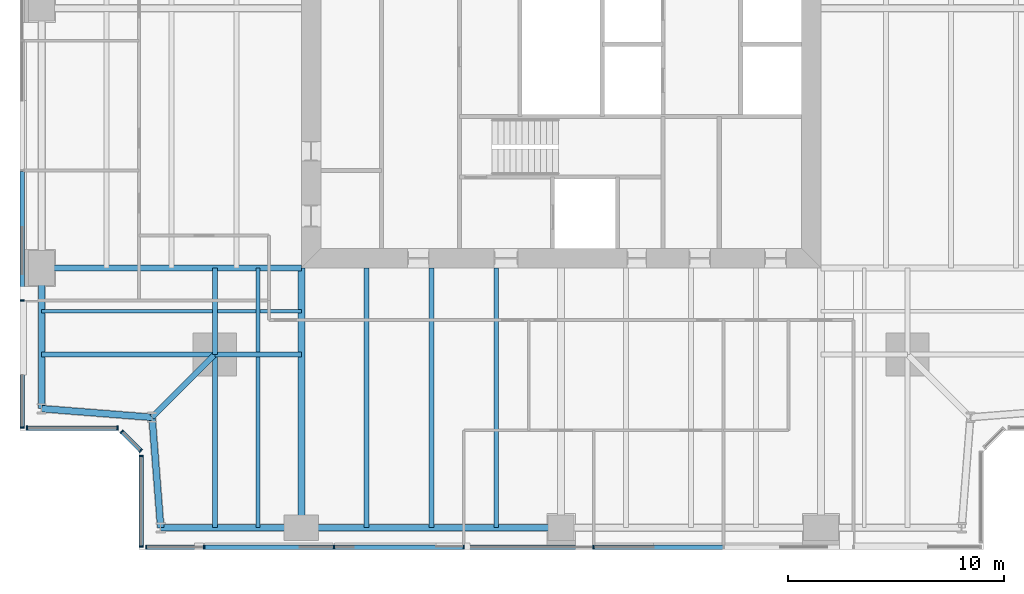
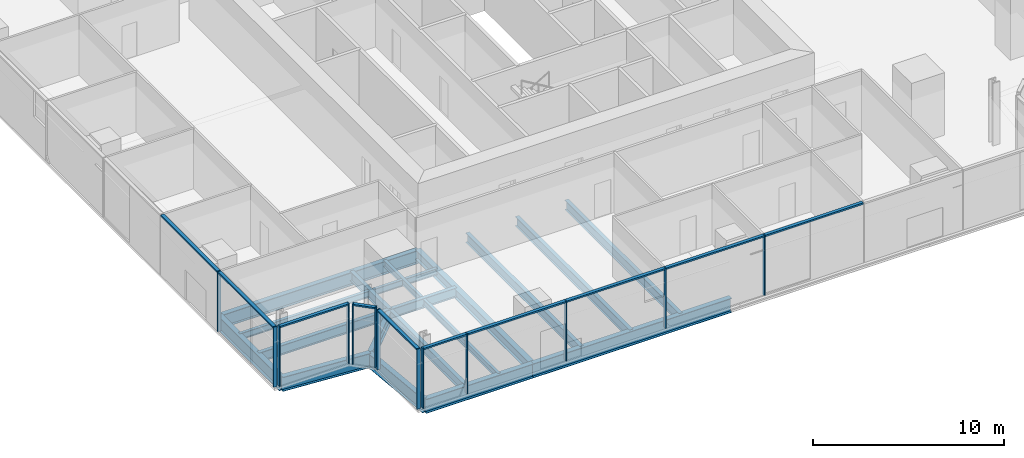
# One storey, part 2 of 14: 23 members, 20 beams, 5 elements without a shape of their own.
"""IFC4 building model written with IfcOpenShell, lengths in metres."""

from ifc_helpers import new_model, si_unit, direction, frame, origin, origin_2d, place, context, subcontext, project, spatial, rectangle, i_section, extrude, material, material_profile, profile_set, type_object, element, aggregate, save


model = new_model("IFC4")

# Units and contexts
model_context = context("Model", 3, precision=1e-05, world=origin(), true_north=direction((0.0, 1.0)))
body_context = subcontext(model_context, "Body", "Model", "MODEL_VIEW")
ifc_project = project(units=[si_unit("LENGTHUNIT", "METRE"), si_unit("AREAUNIT", "SQUARE_METRE"), si_unit("VOLUMEUNIT", "CUBIC_METRE"), si_unit("PLANEANGLEUNIT", "RADIAN"), si_unit("MASSUNIT", "GRAM", prefix="KILO")], contexts=[model_context])

# Site, building, storey
site_placement = place(None, origin())
site = spatial("IfcSite", under=ifc_project, at=site_placement, CompositionType="ELEMENT")
building_placement = place(site_placement, origin())
building = spatial("IfcBuilding", under=site, at=building_placement, Name="Fenwick Lantern Interchange", CompositionType="ELEMENT")
storey_placement = place(building_placement, frame((0.0, 0.0, 193.800048828125)))
storey = spatial("IfcBuildingStorey", under=building, at=storey_placement, Name="L45", CompositionType="ELEMENT", Elevation=193.800048828125)

# Beams
ifc_material_1 = material(Name="Steel ASTM A992 Grade 50", Category="steel")
ifc_material_profile_1 = material_profile(ifc_material_1, i_section(OverallWidth=0.3046875, OverallDepth=0.911865234375, WebThickness=0.015869140625, FlangeThickness=0.02392578125, at=origin_2d()), Name="W36X150")
ifc_profile_set_1 = profile_set([ifc_material_profile_1], Name="Steel ASTM A992 Grade 50")
beam_type_1 = type_object("IfcBeamType", Name="EDGE BEAM W36X150", PredefinedType="SPANDREL", material=ifc_profile_set_1)
beam_1_placement = place(storey_placement, frame((6.5, 1.0, -0.60595703125), z_axis=(1.0, 0.0, 0.0), x_axis=(0.0, 1.0, 0.0)))
element("IfcBeam", 1, at=beam_1_placement, inside=storey, type_object=beam_type_1, Name="L45/FR/S/EB1", PredefinedType="SPANDREL", context=body_context, shape_type="SweptSolid", body=[
    extrude(i_section(OverallWidth=0.3046875, OverallDepth=0.911865234375, WebThickness=0.015869140625, FlangeThickness=0.02392578125, at=origin_2d()), origin(), (0.0, 0.0, 1.0), 6.5),
])
beam_2_placement = place(storey_placement, frame((13.0, 1.0, -0.60595703125), z_axis=(1.0, 0.0, 0.0), x_axis=(0.0, 1.0, 0.0)))
element("IfcBeam", 2, at=beam_2_placement, inside=storey, type_object=beam_type_1, Name="L45/FR/S/EB2", PredefinedType="SPANDREL", context=body_context, shape_type="SweptSolid", body=[
    extrude(i_section(OverallWidth=0.3046875, OverallDepth=0.911865234375, WebThickness=0.015869140625, FlangeThickness=0.02392578125, at=origin_2d()), origin(), (0.0, 0.0, 1.0), 12.0),
])
beam_3_placement = place(storey_placement, frame((1.0, 13.0, -0.60595703125), z_axis=(0.0, -1.0, 0.0), x_axis=(1.0, 0.0, 0.0)))
element("IfcBeam", 3, at=beam_3_placement, inside=storey, type_object=beam_type_1, Name="L45/FR/W/EB4", PredefinedType="SPANDREL", context=body_context, shape_type="SweptSolid", body=[
    extrude(i_section(OverallWidth=0.3046875, OverallDepth=0.911865234375, WebThickness=0.015869140625, FlangeThickness=0.02392578125, at=origin_2d()), origin(), (0.0, 0.0, 1.0), 6.5),
])
for number, where, z_axis, x_axis, name in (
    (4, (1.0, 6.5, -0.60595703125), (0.99693998236, -0.078170784639, 0.0), (0.078170784639, 0.99693998236, 0.0), "L45/FR/W/EBR1"),
    (5, (6.10009765625, 6.10009765625, -0.60595703125), (0.078170784639, -0.99693998236, 0.0), (0.99693998236, 0.078170784639, 0.0), "L45/FR/W/EBR2"),
):
    element("IfcBeam", number, at=place(storey_placement, frame(where, z_axis=z_axis, x_axis=x_axis)), inside=storey, type_object=beam_type_1, Name=name, PredefinedType="SPANDREL", context=body_context, shape_type="SweptSolid", body=[
        extrude(i_section(OverallWidth=0.3046875, OverallDepth=0.911865234375, WebThickness=0.015869140625, FlangeThickness=0.02392578125, at=origin_2d()), origin(), (0.0, 0.0, 1.0), 5.11572265625),
    ])
ifc_material_profile_2 = material_profile(ifc_material_1, i_section(OverallWidth=0.22900390625, OverallDepth=0.612060546875, WebThickness=0.011962890625, FlangeThickness=0.01953125, at=origin_2d()), Name="W24X84")
ifc_profile_set_2 = profile_set([ifc_material_profile_2], Name="Steel ASTM A992 Grade 50")
beam_type_2 = type_object("IfcBeamType", Name="FLOOR BEAM W24X84", PredefinedType="BEAM", material=ifc_profile_set_2)
for number, where, z_axis, x_axis, name in (
    (6, (16.0, 1.0, -0.4560546875), (0.0, 1.0, 0.0), (-1.0, 0.0, 0.0), "L45/FR/S/R02"),
    (7, (19.0, 1.0, -0.4560546875), (0.0, 1.0, 0.0), (-1.0, 0.0, 0.0), "L45/FR/S/R03"),
    (8, (22.0, 1.0, -0.4560546875), (0.0, 1.0, 0.0), (-1.0, 0.0, 0.0), "L45/FR/S/R04"),
):
    element("IfcBeam", number, at=place(storey_placement, frame(where, z_axis=z_axis, x_axis=x_axis)), inside=storey, type_object=beam_type_2, Name=name, PredefinedType="BEAM", context=body_context, shape_type="SweptSolid", body=[
        extrude(i_section(OverallWidth=0.22900390625, OverallDepth=0.612060546875, WebThickness=0.011962890625, FlangeThickness=0.01953125, at=origin_2d()), origin(), (0.0, 0.0, 1.0), 12.0),
    ])
ifc_material_profile_3 = material_profile(ifc_material_1, i_section(OverallWidth=0.177734375, OverallDepth=0.406494140625, WebThickness=0.0078125, FlangeThickness=0.012939453125, at=origin_2d()), Name="W16X40")
ifc_profile_set_3 = profile_set([ifc_material_profile_3], Name="Steel ASTM A992 Grade 50")
beam_type_3 = type_object("IfcBeamType", Name="INFILL BEAM W16X40", PredefinedType="JOIST", material=ifc_profile_set_3)
beam_4_placement = place(storey_placement, frame((11.0, 1.0, -0.353271484375), z_axis=(0.0, 1.0, 0.0), x_axis=(-1.0, 0.0, 0.0)))
element("IfcBeam", 9, at=beam_4_placement, inside=storey, type_object=beam_type_3, Name="L45/FR/S/J1", PredefinedType="JOIST", context=body_context, shape_type="SweptSolid", body=[
    extrude(i_section(OverallWidth=0.177734375, OverallDepth=0.406494140625, WebThickness=0.0078125, FlangeThickness=0.012939453125, at=origin_2d()), origin(), (0.0, 0.0, 1.0), 7.885498046875),
])
beam_5_placement = place(storey_placement, frame((11.0, 9.114501953125, -0.353271484375), z_axis=(0.0, 1.0, 0.0), x_axis=(-1.0, 0.0, 0.0)))
element("IfcBeam", 10, at=beam_5_placement, inside=storey, type_object=beam_type_3, Name="L45/FR/S/J2", PredefinedType="JOIST", context=body_context, shape_type="SweptSolid", body=[
    extrude(i_section(OverallWidth=0.177734375, OverallDepth=0.406494140625, WebThickness=0.0078125, FlangeThickness=0.012939453125, at=origin_2d()), origin(), (0.0, 0.0, 1.0), 3.885498046875),
])
beam_6_placement = place(storey_placement, frame((1.0, 11.0, -0.353271484375), z_axis=(1.0, 0.0, 0.0), x_axis=(0.0, 1.0, 0.0)))
element("IfcBeam", 11, at=beam_6_placement, inside=storey, type_object=beam_type_3, Name="L45/FR/S/J3", PredefinedType="JOIST", context=body_context, shape_type="SweptSolid", body=[
    extrude(i_section(OverallWidth=0.177734375, OverallDepth=0.406494140625, WebThickness=0.0078125, FlangeThickness=0.012939453125, at=origin_2d()), origin(), (0.0, 0.0, 1.0), 7.885498046875),
])
beam_7_placement = place(storey_placement, frame((9.114501953125, 11.0, -0.353271484375), z_axis=(1.0, 0.0, 0.0), x_axis=(0.0, 1.0, 0.0)))
element("IfcBeam", 12, at=beam_7_placement, inside=storey, type_object=beam_type_3, Name="L45/FR/S/J4", PredefinedType="JOIST", context=body_context, shape_type="SweptSolid", body=[
    extrude(i_section(OverallWidth=0.177734375, OverallDepth=0.406494140625, WebThickness=0.0078125, FlangeThickness=0.012939453125, at=origin_2d()), origin(), (0.0, 0.0, 1.0), 1.796630859375),
])
beam_8_placement = place(storey_placement, frame((11.0888671875, 11.0, -0.353271484375), z_axis=(1.0, 0.0, 0.0), x_axis=(0.0, 1.0, 0.0)))
element("IfcBeam", 13, at=beam_8_placement, inside=storey, type_object=beam_type_3, Name="L45/FR/S/J5", PredefinedType="JOIST", context=body_context, shape_type="SweptSolid", body=[
    extrude(i_section(OverallWidth=0.177734375, OverallDepth=0.406494140625, WebThickness=0.0078125, FlangeThickness=0.012939453125, at=origin_2d()), origin(), (0.0, 0.0, 1.0), 1.9111328125),
])
ifc_material_profile_4 = material_profile(ifc_material_1, i_section(OverallWidth=0.22900390625, OverallDepth=0.612060546875, WebThickness=0.011962890625, FlangeThickness=0.01953125, at=origin_2d()), Name="W24X84")
ifc_profile_set_4 = profile_set([ifc_material_profile_4], Name="Steel ASTM A992 Grade 50")
beam_type_4 = type_object("IfcBeamType", Name="MEGA COLUMN BEAM W24X84", PredefinedType="BEAM", material=ifc_profile_set_4)
for number, where, z_axis, x_axis, name in (
    (14, (9.0, 9.0, -0.4560546875), (0.0, -1.0, 0.0), (1.0, 0.0, 0.0), "L45/FR/S/MB1"),
    (15, (9.0, 9.0, -0.4560546875), (-1.0, 0.0, 0.0), (0.0, -1.0, 0.0), "L45/FR/S/MB2"),
):
    element("IfcBeam", number, at=place(storey_placement, frame(where, z_axis=z_axis, x_axis=x_axis)), inside=storey, type_object=beam_type_4, Name=name, PredefinedType="BEAM", context=body_context, shape_type="SweptSolid", body=[
        extrude(i_section(OverallWidth=0.22900390625, OverallDepth=0.612060546875, WebThickness=0.011962890625, FlangeThickness=0.01953125, at=origin_2d()), origin(), (0.0, 0.0, 1.0), 8.0),
    ])
for number, where, z_axis, x_axis, name in (
    (16, (9.0, 9.0, -0.4560546875), (1.0, 0.0, 0.0), (0.0, 1.0, 0.0), "L45/FR/S/MB3"),
    (17, (9.0, 9.0, -0.4560546875), (0.0, 1.0, 0.0), (-1.0, 0.0, 0.0), "L45/FR/S/MB4"),
):
    element("IfcBeam", number, at=place(storey_placement, frame(where, z_axis=z_axis, x_axis=x_axis)), inside=storey, type_object=beam_type_4, Name=name, PredefinedType="BEAM", context=body_context, shape_type="SweptSolid", body=[
        extrude(i_section(OverallWidth=0.22900390625, OverallDepth=0.612060546875, WebThickness=0.011962890625, FlangeThickness=0.01953125, at=origin_2d()), origin(), (0.0, 0.0, 1.0), 4.0),
    ])
ifc_material_profile_5 = material_profile(ifc_material_1, i_section(OverallWidth=0.32763671875, OverallDepth=0.622314453125, WebThickness=0.015380859375, FlangeThickness=0.0244140625, at=origin_2d()), Name="W24X131")
ifc_profile_set_5 = profile_set([ifc_material_profile_5], Name="Steel ASTM A992 Grade 50")
beam_type_5 = type_object("IfcBeamType", Name="MOMENT-CONNECTED GIRDER W24X131", PredefinedType="BEAM", material=ifc_profile_set_5)
beam_9_placement = place(storey_placement, frame((13.0, 1.0, -0.461181640625), z_axis=(0.0, 1.0, 0.0), x_axis=(-1.0, 0.0, 0.0)))
element("IfcBeam", 18, at=beam_9_placement, inside=storey, type_object=beam_type_5, Name="L45/FR/S/R01", PredefinedType="BEAM", context=body_context, shape_type="SweptSolid", body=[
    extrude(i_section(OverallWidth=0.32763671875, OverallDepth=0.622314453125, WebThickness=0.015380859375, FlangeThickness=0.0244140625, at=origin_2d()), origin(), (0.0, 0.0, 1.0), 12.0),
])
ifc_material_profile_6 = material_profile(ifc_material_1, i_section(OverallWidth=0.2919921875, OverallDepth=0.845703125, WebThickness=0.015380859375, FlangeThickness=0.0244140625, at=origin_2d()), Name="W33X141")
ifc_profile_set_6 = profile_set([ifc_material_profile_6], Name="Steel ASTM A992 Grade 50")
beam_type_6 = type_object("IfcBeamType", Name="MOMENT-CONNECTED GIRDER W33X141", PredefinedType="BEAM", material=ifc_profile_set_6)
beam_10_placement = place(storey_placement, frame((1.0, 13.0, -0.572998046875), z_axis=(1.0, 0.0, 0.0), x_axis=(0.0, 1.0, 0.0)))
element("IfcBeam", 19, at=beam_10_placement, inside=storey, type_object=beam_type_6, Name="L45/FR/W/R03", PredefinedType="BEAM", context=body_context, shape_type="SweptSolid", body=[
    extrude(i_section(OverallWidth=0.2919921875, OverallDepth=0.845703125, WebThickness=0.015380859375, FlangeThickness=0.0244140625, at=origin_2d()), origin(), (0.0, 0.0, 1.0), 12.0),
])
ifc_material_profile_7 = material_profile(ifc_material_1, i_section(OverallWidth=0.2666015625, OverallDepth=0.7568359375, WebThickness=0.013916015625, FlangeThickness=0.019287109375, at=origin_2d()), Name="W30X108")
ifc_profile_set_7 = profile_set([ifc_material_profile_7], Name="Steel ASTM A992 Grade 50")
beam_type_7 = type_object("IfcBeamType", Name="NOTCH BEAM W30X108", PredefinedType="BEAM", material=ifc_profile_set_7)
beam_11_placement = place(storey_placement, frame((9.0, 9.0, -0.528564453125), z_axis=(-0.707106781187, -0.707106781187, 0.0), x_axis=(0.707106781187, -0.707106781187, 0.0)))
element("IfcBeam", 20, at=beam_11_placement, inside=storey, type_object=beam_type_7, Name="L45/FR/S/TG", PredefinedType="BEAM", context=body_context, shape_type="SweptSolid", body=[
    extrude(i_section(OverallWidth=0.2666015625, OverallDepth=0.7568359375, WebThickness=0.013916015625, FlangeThickness=0.019287109375, at=origin_2d()), origin(), (0.0, 0.0, 1.0), 4.10107421875),
])

# Curtain wall, members
ifc_material_2 = material(Name="Aluminium curtain wall frame", Category="aluminium")
curtain_wall_type = type_object("IfcCurtainWallType", Name="OFFICE CURTAIN WALL", PredefinedType="USERDEFINED", material=ifc_material_2)
curtain_wall_1_placement = place(storey_placement, origin())
curtain_wall_1 = element("IfcCurtainWall", 21, at=curtain_wall_1_placement, inside=storey, type_object=curtain_wall_type, Name="Office curtain wall 01", ObjectType="OFFICE CURTAIN WALL", PredefinedType="USERDEFINED")
ifc_material_3 = material(Name="Aluminium extrusion", Category="aluminium")
ifc_material_profile_8 = material_profile(ifc_material_3, rectangle(XDim=0.199951171875, YDim=0.06494140625, at=origin_2d()), Name="OFFICE CURTAIN WALL MULLION 65 X 200")
ifc_profile_set_8 = profile_set([ifc_material_profile_8], Name="Aluminium extrusion")
member_type_1 = type_object("IfcMemberType", Name="OFFICE CURTAIN WALL MULLION 65 X 200", PredefinedType="MULLION", material=ifc_profile_set_8)
member_1_placement = place(storey_placement, frame((5.83251953125, 0.10009765625, 0.0), z_axis=(0.0, 0.0, 1.0), x_axis=(0.0, 1.0, 0.0)))
member_1 = element("IfcMember", 22, at=member_1_placement, type_object=member_type_1, Name="L45/CW/01/M00", PredefinedType="MULLION", context=body_context, shape_type="SweptSolid", body=[
    extrude(rectangle(XDim=0.199951171875, YDim=0.06494140625, at=origin_2d()), origin(), (0.0, 0.0, 1.0), 3.849853515625),
])
member_2_placement = place(storey_placement, frame((8.5, 0.10009765625, 0.0), z_axis=(0.0, 0.0, 1.0), x_axis=(0.0, 1.0, 0.0)))
member_2 = element("IfcMember", 23, at=member_2_placement, type_object=member_type_1, Name="L45/CW/01/M01", PredefinedType="MULLION", context=body_context, shape_type="SweptSolid", body=[
    extrude(rectangle(XDim=0.199951171875, YDim=0.06494140625, at=origin_2d()), origin(), (0.0, 0.0, 1.0), 3.849853515625),
])
member_3_placement = place(storey_placement, frame((14.5, 0.10009765625, 0.0), z_axis=(0.0, 0.0, 1.0), x_axis=(0.0, 1.0, 0.0)))
member_3 = element("IfcMember", 24, at=member_3_placement, type_object=member_type_1, Name="L45/CW/01/M02", PredefinedType="MULLION", context=body_context, shape_type="SweptSolid", body=[
    extrude(rectangle(XDim=0.199951171875, YDim=0.06494140625, at=origin_2d()), origin(), (0.0, 0.0, 1.0), 3.849853515625),
])
member_4_placement = place(storey_placement, frame((20.5, 0.10009765625, 0.0), z_axis=(0.0, 0.0, 1.0), x_axis=(0.0, 1.0, 0.0)))
member_4 = element("IfcMember", 25, at=member_4_placement, type_object=member_type_1, Name="L45/CW/01/M03", PredefinedType="MULLION", context=body_context, shape_type="SweptSolid", body=[
    extrude(rectangle(XDim=0.199951171875, YDim=0.06494140625, at=origin_2d()), origin(), (0.0, 0.0, 1.0), 3.849853515625),
])
member_5_placement = place(storey_placement, frame((26.5, 0.10009765625, 0.0), z_axis=(0.0, 0.0, 1.0), x_axis=(0.0, 1.0, 0.0)))
member_5 = element("IfcMember", 26, at=member_5_placement, type_object=member_type_1, Name="L45/CW/01/M04", PredefinedType="MULLION", context=body_context, shape_type="SweptSolid", body=[
    extrude(rectangle(XDim=0.199951171875, YDim=0.06494140625, at=origin_2d()), origin(), (0.0, 0.0, 1.0), 3.849853515625),
])

curtain_wall_2_placement = place(storey_placement, origin())
curtain_wall_2 = element("IfcCurtainWall", 27, at=curtain_wall_2_placement, inside=storey, type_object=curtain_wall_type, Name="Office curtain wall 13", ObjectType="OFFICE CURTAIN WALL", PredefinedType="USERDEFINED")
member_6_placement = place(storey_placement, frame((0.10009765625, 11.5, 0.0), z_axis=(0.0, 0.0, 1.0), x_axis=(1.0, 0.0, 0.0)))
member_6 = element("IfcMember", 28, at=member_6_placement, type_object=member_type_1, Name="L45/CW/13/M06", PredefinedType="MULLION", context=body_context, shape_type="SweptSolid", body=[
    extrude(rectangle(XDim=0.199951171875, YDim=0.06494140625, at=origin_2d()), origin(), (0.0, 0.0, 1.0), 3.849853515625),
])
member_7_placement = place(storey_placement, frame((0.10009765625, 5.632568359375, 0.0), z_axis=(0.0, 0.0, 1.0), x_axis=(1.0, 0.0, 0.0)))
member_7 = element("IfcMember", 29, at=member_7_placement, type_object=member_type_1, Name="L45/CW/13/M07", PredefinedType="MULLION", context=body_context, shape_type="SweptSolid", body=[
    extrude(rectangle(XDim=0.199951171875, YDim=0.06494140625, at=origin_2d()), origin(), (0.0, 0.0, 1.0), 3.849853515625),
])

curtain_wall_3_placement = place(storey_placement, origin())
curtain_wall_3 = element("IfcCurtainWall", 30, at=curtain_wall_3_placement, inside=storey, type_object=curtain_wall_type, Name="Office curtain wall 14", ObjectType="OFFICE CURTAIN WALL", PredefinedType="USERDEFINED")
member_8_placement = place(storey_placement, frame((0.33251953125, 5.60009765625, 0.0), z_axis=(0.0, 0.0, 1.0), x_axis=(0.0, 1.0, 0.0)))
member_8 = element("IfcMember", 31, at=member_8_placement, type_object=member_type_1, Name="L45/CW/14/M00", PredefinedType="MULLION", context=body_context, shape_type="SweptSolid", body=[
    extrude(rectangle(XDim=0.199951171875, YDim=0.06494140625, at=origin_2d()), origin(), (0.0, 0.0, 1.0), 3.849853515625),
])
member_9_placement = place(storey_placement, frame((4.509033203125, 5.60009765625, 0.0), z_axis=(0.0, 0.0, 1.0), x_axis=(0.0, 1.0, 0.0)))
member_9 = element("IfcMember", 32, at=member_9_placement, type_object=member_type_1, Name="L45/CW/14/M01", PredefinedType="MULLION", context=body_context, shape_type="SweptSolid", body=[
    extrude(rectangle(XDim=0.199951171875, YDim=0.06494140625, at=origin_2d()), origin(), (0.0, 0.0, 1.0), 3.849853515625),
])

curtain_wall_4_placement = place(storey_placement, origin())
curtain_wall_4 = element("IfcCurtainWall", 33, at=curtain_wall_4_placement, inside=storey, type_object=curtain_wall_type, Name="Office curtain wall 15", ObjectType="OFFICE CURTAIN WALL", PredefinedType="USERDEFINED")
member_10_placement = place(storey_placement, frame((4.705810546875, 5.435546875, 0.0), z_axis=(0.0, 0.0, 1.0), x_axis=(0.707106781187, 0.707106781187, 0.0)))
member_10 = element("IfcMember", 34, at=member_10_placement, type_object=member_type_1, Name="L45/CW/15/M00", PredefinedType="MULLION", context=body_context, shape_type="SweptSolid", body=[
    extrude(rectangle(XDim=0.199951171875, YDim=0.06494140625, at=origin_2d()), origin(), (0.0, 0.0, 1.0), 3.849853515625),
])
member_11_placement = place(storey_placement, frame((5.576904296875, 4.564453125, 0.0), z_axis=(0.0, 0.0, 1.0), x_axis=(0.707106781187, 0.707106781187, 0.0)))
member_11 = element("IfcMember", 35, at=member_11_placement, type_object=member_type_1, Name="L45/CW/15/M01", PredefinedType="MULLION", context=body_context, shape_type="SweptSolid", body=[
    extrude(rectangle(XDim=0.199951171875, YDim=0.06494140625, at=origin_2d()), origin(), (0.0, 0.0, 1.0), 3.849853515625),
])

curtain_wall_5_placement = place(storey_placement, origin())
curtain_wall_5 = element("IfcCurtainWall", 36, at=curtain_wall_5_placement, inside=storey, type_object=curtain_wall_type, Name="Office curtain wall 16", ObjectType="OFFICE CURTAIN WALL", PredefinedType="USERDEFINED")
member_12_placement = place(storey_placement, frame((5.60009765625, 4.308837890625, 0.0), z_axis=(0.0, 0.0, 1.0), x_axis=(1.0, 0.0, 0.0)))
member_12 = element("IfcMember", 37, at=member_12_placement, type_object=member_type_1, Name="L45/CW/16/M00", PredefinedType="MULLION", context=body_context, shape_type="SweptSolid", body=[
    extrude(rectangle(XDim=0.199951171875, YDim=0.06494140625, at=origin_2d()), origin(), (0.0, 0.0, 1.0), 3.849853515625),
])
member_13_placement = place(storey_placement, frame((5.60009765625, 0.132568359375, 0.0), z_axis=(0.0, 0.0, 1.0), x_axis=(1.0, 0.0, 0.0)))
member_13 = element("IfcMember", 38, at=member_13_placement, type_object=member_type_1, Name="L45/CW/16/M01", PredefinedType="MULLION", context=body_context, shape_type="SweptSolid", body=[
    extrude(rectangle(XDim=0.199951171875, YDim=0.06494140625, at=origin_2d()), origin(), (0.0, 0.0, 1.0), 3.849853515625),
])

# Member
ifc_material_profile_9 = material_profile(ifc_material_3, rectangle(XDim=0.199951171875, YDim=0.10009765625, at=origin_2d()), Name="OFFICE CURTAIN WALL TRANSOM 100 X 200")
ifc_profile_set_9 = profile_set([ifc_material_profile_9], Name="Aluminium extrusion")
member_type_2 = type_object("IfcMemberType", Name="OFFICE CURTAIN WALL TRANSOM 100 X 200", PredefinedType="MULLION", material=ifc_profile_set_9)
member_14_placement = place(storey_placement, frame((5.864990234375, 0.10009765625, 3.800048828125), z_axis=(1.0, 0.0, 0.0), x_axis=(0.0, 1.0, 0.0)))
member_14 = element("IfcMember", 39, at=member_14_placement, type_object=member_type_2, Name="L45/CW/01/T00", PredefinedType="MULLION", context=body_context, shape_type="SweptSolid", body=[
    extrude(rectangle(XDim=0.199951171875, YDim=0.10009765625, at=origin_2d()), origin(), (0.0, 0.0, 1.0), 2.6025390625),
])

member_15_placement = place(storey_placement, frame((8.532470703125, 0.10009765625, 3.800048828125), z_axis=(1.0, 0.0, 0.0), x_axis=(0.0, 1.0, 0.0)))
member_15 = element("IfcMember", 40, at=member_15_placement, type_object=member_type_2, Name="L45/CW/01/T01", PredefinedType="MULLION", context=body_context, shape_type="SweptSolid", body=[
    extrude(rectangle(XDim=0.199951171875, YDim=0.10009765625, at=origin_2d()), origin(), (0.0, 0.0, 1.0), 5.93505859375),
])

member_16_placement = place(storey_placement, frame((14.532470703125, 0.10009765625, 3.800048828125), z_axis=(1.0, 0.0, 0.0), x_axis=(0.0, 1.0, 0.0)))
member_16 = element("IfcMember", 41, at=member_16_placement, type_object=member_type_2, Name="L45/CW/01/T02", PredefinedType="MULLION", context=body_context, shape_type="SweptSolid", body=[
    extrude(rectangle(XDim=0.199951171875, YDim=0.10009765625, at=origin_2d()), origin(), (0.0, 0.0, 1.0), 5.93505859375),
])

member_17_placement = place(storey_placement, frame((20.532470703125, 0.10009765625, 3.800048828125), z_axis=(1.0, 0.0, 0.0), x_axis=(0.0, 1.0, 0.0)))
member_17 = element("IfcMember", 42, at=member_17_placement, type_object=member_type_2, Name="L45/CW/01/T03", PredefinedType="MULLION", context=body_context, shape_type="SweptSolid", body=[
    extrude(rectangle(XDim=0.199951171875, YDim=0.10009765625, at=origin_2d()), origin(), (0.0, 0.0, 1.0), 5.93505859375),
])

member_18_placement = place(storey_placement, frame((26.532470703125, 0.10009765625, 3.800048828125), z_axis=(1.0, 0.0, 0.0), x_axis=(0.0, 1.0, 0.0)))
member_18 = element("IfcMember", 43, at=member_18_placement, type_object=member_type_2, Name="L45/CW/01/T04", PredefinedType="MULLION", context=body_context, shape_type="SweptSolid", body=[
    extrude(rectangle(XDim=0.199951171875, YDim=0.10009765625, at=origin_2d()), origin(), (0.0, 0.0, 1.0), 5.93505859375),
])

aggregate(curtain_wall_1, [member_1, member_2, member_3, member_4, member_5, member_14, member_15, member_16, member_17, member_18])

member_19_placement = place(storey_placement, frame((0.10009765625, 17.467529296875, 3.800048828125), z_axis=(0.0, -1.0, 0.0), x_axis=(1.0, 0.0, 0.0)))
member_19 = element("IfcMember", 44, at=member_19_placement, type_object=member_type_2, Name="L45/CW/13/T05", PredefinedType="MULLION", context=body_context, shape_type="SweptSolid", body=[
    extrude(rectangle(XDim=0.199951171875, YDim=0.10009765625, at=origin_2d()), origin(), (0.0, 0.0, 1.0), 5.93505859375),
])

member_20_placement = place(storey_placement, frame((0.10009765625, 11.467529296875, 3.800048828125), z_axis=(0.0, -1.0, 0.0), x_axis=(1.0, 0.0, 0.0)))
member_20 = element("IfcMember", 45, at=member_20_placement, type_object=member_type_2, Name="L45/CW/13/T06", PredefinedType="MULLION", context=body_context, shape_type="SweptSolid", body=[
    extrude(rectangle(XDim=0.199951171875, YDim=0.10009765625, at=origin_2d()), origin(), (0.0, 0.0, 1.0), 5.802490234375),
])

aggregate(curtain_wall_2, [member_6, member_7, member_19, member_20])

member_21_placement = place(storey_placement, frame((0.364990234375, 5.60009765625, 3.800048828125), z_axis=(1.0, 0.0, 0.0), x_axis=(0.0, 1.0, 0.0)))
member_21 = element("IfcMember", 46, at=member_21_placement, type_object=member_type_2, Name="L45/CW/14/T00", PredefinedType="MULLION", context=body_context, shape_type="SweptSolid", body=[
    extrude(rectangle(XDim=0.199951171875, YDim=0.10009765625, at=origin_2d()), origin(), (0.0, 0.0, 1.0), 4.111328125),
])

aggregate(curtain_wall_3, [member_8, member_9, member_21])

member_22_placement = place(storey_placement, frame((4.728759765625, 5.41259765625, 3.800048828125), z_axis=(0.707106781187, -0.707106781187, 0.0), x_axis=(0.707106781187, 0.707106781187, 0.0)))
member_22 = element("IfcMember", 47, at=member_22_placement, type_object=member_type_2, Name="L45/CW/15/T00", PredefinedType="MULLION", context=body_context, shape_type="SweptSolid", body=[
    extrude(rectangle(XDim=0.199951171875, YDim=0.10009765625, at=origin_2d()), origin(), (0.0, 0.0, 1.0), 1.1669921875),
])

aggregate(curtain_wall_4, [member_10, member_11, member_22])

member_23_placement = place(storey_placement, frame((5.60009765625, 4.2763671875, 3.800048828125), z_axis=(0.0, -1.0, 0.0), x_axis=(1.0, 0.0, 0.0)))
member_23 = element("IfcMember", 48, at=member_23_placement, type_object=member_type_2, Name="L45/CW/16/T00", PredefinedType="MULLION", context=body_context, shape_type="SweptSolid", body=[
    extrude(rectangle(XDim=0.199951171875, YDim=0.10009765625, at=origin_2d()), origin(), (0.0, 0.0, 1.0), 4.111328125),
])

aggregate(curtain_wall_5, [member_12, member_13, member_23])

save(model, "model.ifc")
